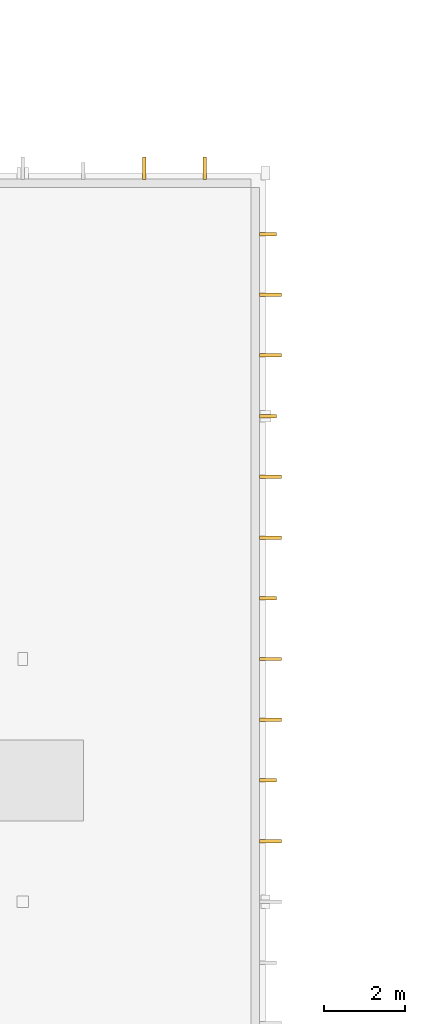
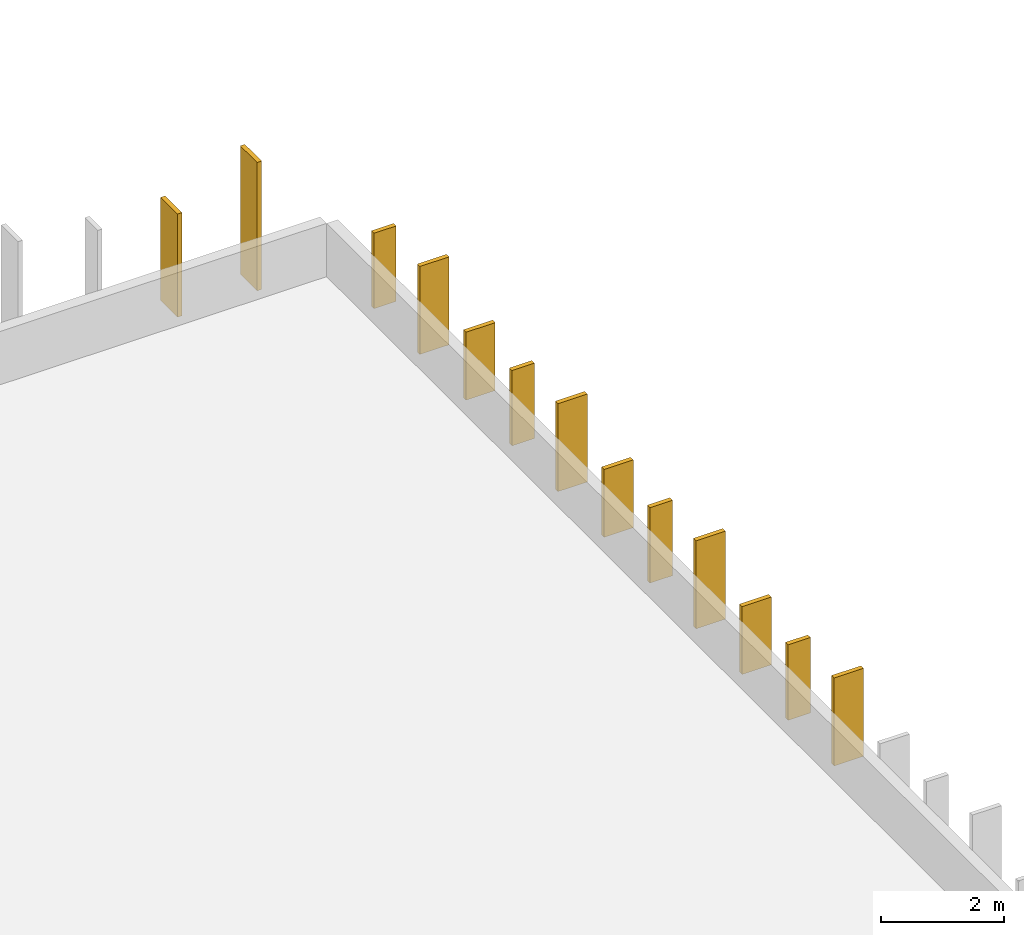
# One storey, part 22 of 27: 13 coverings.
"""IFC4 building model written with IfcOpenShell, lengths in metres."""

from ifc_helpers import new_model, si_unit, direction, frame, origin, origin_2d, place, context, subcontext, project, spatial, rectangle, extrude, material, layer, layer_set, type_object, element, save


model = new_model("IFC4")

# Units and contexts
model_context = context("Model", 3, precision=1e-05, world=origin(), true_north=direction((0.0, 1.0)))
body_context = subcontext(model_context, "Body", "Model", "MODEL_VIEW")
ifc_project = project(units=[si_unit("LENGTHUNIT", "METRE"), si_unit("AREAUNIT", "SQUARE_METRE"), si_unit("VOLUMEUNIT", "CUBIC_METRE"), si_unit("PLANEANGLEUNIT", "RADIAN"), si_unit("MASSUNIT", "GRAM", prefix="KILO")], contexts=[model_context])

# Site, building, storey
site_placement = place(None, origin())
site = spatial("IfcSite", under=ifc_project, at=site_placement, CompositionType="ELEMENT")
building_placement = place(site_placement, origin())
building = spatial("IfcBuilding", under=site, at=building_placement, Name="Varnakota Square Police Headquarters", CompositionType="ELEMENT")
storey_placement = place(building_placement, frame((0.0, 0.0, 26.10009765625)))
storey = spatial("IfcBuildingStorey", under=building, at=storey_placement, Name="L06", CompositionType="ELEMENT", Elevation=26.10009765625)

# Coverings
ifc_material_1 = material(Name="White Anodised Aluminium Vertical Facade Blade 420", Category="aluminium")
ifc_layer_1 = layer(ifc_material_1, 0.0849609375, Name="White Anodised Aluminium Vertical Facade Blade 420")
ifc_layer_set_1 = layer_set([ifc_layer_1], Name="White Anodised Aluminium Vertical Facade Blade 420")
covering_type_1 = type_object("IfcCoveringType", Name="COV-FIN-420", PredefinedType="CLADDING", material=ifc_layer_set_1)
for number, where, z_axis, x_axis, name in (
    (1, (42.06005859375, 48.0, 0.0498046875), (0.0, 0.0, 1.0), (0.0, 1.0, 0.0), "Vertical aluminium facade fin FIN-1481"),
    (2, (42.06005859375, 52.5, 0.0498046875), (0.0, 0.0, 1.0), (0.0, 1.0, 0.0), "Vertical aluminium facade fin FIN-1484"),
    (3, (42.06005859375, 57.0, 0.0498046875), (0.0, 0.0, 1.0), (0.0, 1.0, 0.0), "Vertical aluminium facade fin FIN-1487"),
    (4, (42.06005859375, 61.5, 0.0498046875), (0.0, 0.0, 1.0), (0.0, 1.0, 0.0), "Vertical aluminium facade fin FIN-1490"),
):
    element("IfcCovering", number, at=place(storey_placement, frame(where, z_axis=z_axis, x_axis=x_axis)), inside=storey, type_object=covering_type_1, Name=name, PredefinedType="CLADDING", context=body_context, shape_type="SweptSolid", body=[
        extrude(rectangle(XDim=0.0849609375, YDim=0.419921875, at=origin_2d()), origin(), (0.0, 0.0, 1.0), 1.5),
    ])
ifc_material_2 = material(Name="White Anodised Aluminium Vertical Facade Blade 550", Category="aluminium")
ifc_layer_2 = layer(ifc_material_2, 0.0849609375, Name="White Anodised Aluminium Vertical Facade Blade 550")
ifc_layer_set_2 = layer_set([ifc_layer_2], Name="White Anodised Aluminium Vertical Facade Blade 550")
covering_type_2 = type_object("IfcCoveringType", Name="COV-FIN-550", PredefinedType="CLADDING", material=ifc_layer_set_2)
covering_1_placement = place(storey_placement, frame((42.125, 46.5, 0.0498046875), z_axis=(0.0, 0.0, 1.0), x_axis=(0.0, 1.0, 0.0)))
element("IfcCovering", 5, at=covering_1_placement, inside=storey, type_object=covering_type_2, Name="Vertical aluminium facade fin FIN-1480", PredefinedType="CLADDING", context=body_context, shape_type="SweptSolid", body=[
    extrude(rectangle(XDim=0.0849609375, YDim=0.550048828125, at=origin_2d()), origin(), (0.0, 0.0, 1.0), 1.75),
])
covering_2_placement = place(storey_placement, frame((42.125, 49.5, 0.0498046875), z_axis=(0.0, 0.0, 1.0), x_axis=(0.0, 1.0, 0.0)))
element("IfcCovering", 6, at=covering_2_placement, inside=storey, type_object=covering_type_2, Name="Vertical aluminium facade fin FIN-1482", PredefinedType="CLADDING", context=body_context, shape_type="SweptSolid", body=[
    extrude(rectangle(XDim=0.0849609375, YDim=0.550048828125, at=origin_2d()), origin(), (0.0, 0.0, 1.0), 1.35009765625),
])
covering_3_placement = place(storey_placement, frame((42.125, 51.0, 0.0498046875), z_axis=(0.0, 0.0, 1.0), x_axis=(0.0, 1.0, 0.0)))
element("IfcCovering", 7, at=covering_3_placement, inside=storey, type_object=covering_type_2, Name="Vertical aluminium facade fin FIN-1483", PredefinedType="CLADDING", context=body_context, shape_type="SweptSolid", body=[
    extrude(rectangle(XDim=0.0849609375, YDim=0.550048828125, at=origin_2d()), origin(), (0.0, 0.0, 1.0), 1.75),
])
covering_4_placement = place(storey_placement, frame((42.125, 54.0, 0.0498046875), z_axis=(0.0, 0.0, 1.0), x_axis=(0.0, 1.0, 0.0)))
element("IfcCovering", 8, at=covering_4_placement, inside=storey, type_object=covering_type_2, Name="Vertical aluminium facade fin FIN-1485", PredefinedType="CLADDING", context=body_context, shape_type="SweptSolid", body=[
    extrude(rectangle(XDim=0.0849609375, YDim=0.550048828125, at=origin_2d()), origin(), (0.0, 0.0, 1.0), 1.35009765625),
])
covering_5_placement = place(storey_placement, frame((42.125, 55.5, 0.0498046875), z_axis=(0.0, 0.0, 1.0), x_axis=(0.0, 1.0, 0.0)))
element("IfcCovering", 9, at=covering_5_placement, inside=storey, type_object=covering_type_2, Name="Vertical aluminium facade fin FIN-1486", PredefinedType="CLADDING", context=body_context, shape_type="SweptSolid", body=[
    extrude(rectangle(XDim=0.0849609375, YDim=0.550048828125, at=origin_2d()), origin(), (0.0, 0.0, 1.0), 1.75),
])
covering_6_placement = place(storey_placement, frame((42.125, 58.5, 0.0498046875), z_axis=(0.0, 0.0, 1.0), x_axis=(0.0, 1.0, 0.0)))
element("IfcCovering", 10, at=covering_6_placement, inside=storey, type_object=covering_type_2, Name="Vertical aluminium facade fin FIN-1488", PredefinedType="CLADDING", context=body_context, shape_type="SweptSolid", body=[
    extrude(rectangle(XDim=0.0849609375, YDim=0.550048828125, at=origin_2d()), origin(), (0.0, 0.0, 1.0), 1.35009765625),
])
covering_7_placement = place(storey_placement, frame((42.125, 60.0, 0.0498046875), z_axis=(0.0, 0.0, 1.0), x_axis=(0.0, 1.0, 0.0)))
element("IfcCovering", 11, at=covering_7_placement, inside=storey, type_object=covering_type_2, Name="Vertical aluminium facade fin FIN-1489", PredefinedType="CLADDING", context=body_context, shape_type="SweptSolid", body=[
    extrude(rectangle(XDim=0.0849609375, YDim=0.550048828125, at=origin_2d()), origin(), (0.0, 0.0, 1.0), 1.75),
])
covering_8_placement = place(storey_placement, frame((40.5, 63.125, 0.0498046875), z_axis=(0.0, 0.0, 1.0), x_axis=(-1.0, 0.0, 0.0)))
element("IfcCovering", 12, at=covering_8_placement, inside=storey, type_object=covering_type_2, Name="Vertical aluminium facade fin FIN-1491", PredefinedType="CLADDING", context=body_context, shape_type="SweptSolid", body=[
    extrude(rectangle(XDim=0.0849609375, YDim=0.550048828125, at=origin_2d()), origin(), (0.0, 0.0, 1.0), 2.550048828125),
])
covering_9_placement = place(storey_placement, frame((39.0, 63.125, 0.0498046875), z_axis=(0.0, 0.0, 1.0), x_axis=(-1.0, 0.0, 0.0)))
element("IfcCovering", 13, at=covering_9_placement, inside=storey, type_object=covering_type_2, Name="Vertical aluminium facade fin FIN-1492", PredefinedType="CLADDING", context=body_context, shape_type="SweptSolid", body=[
    extrude(rectangle(XDim=0.0849609375, YDim=0.550048828125, at=origin_2d()), origin(), (0.0, 0.0, 1.0), 2.050048828125),
])

save(model, "model.ifc")
